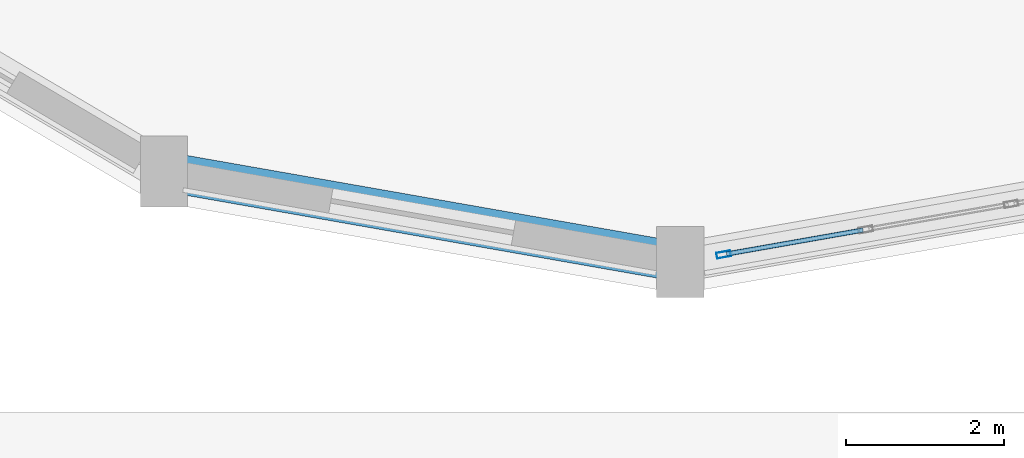
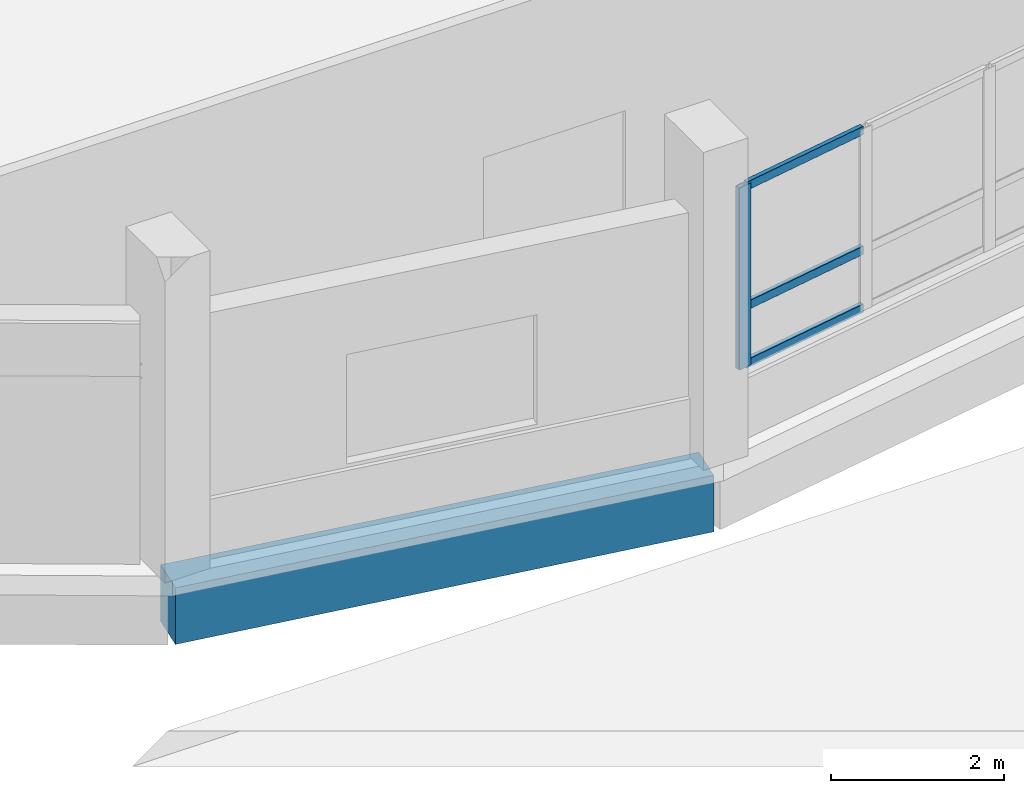
# One storey, part 88 of 129: 4 members, 1 beam, 1 element without a shape of its own.
"""IFC4 building model written with IfcOpenShell, lengths in metres."""

from ifc_helpers import new_model, si_unit, direction, frame, origin, origin_2d, place, context, subcontext, project, spatial, rectangle, hollow_rectangle, extrude, material, layer, layer_set, material_profile, profile_set, type_object, element, aggregate, save


model = new_model("IFC4")

# Units and contexts
model_context = context("Model", 3, precision=1e-05, world=origin(), true_north=direction((0.0, 1.0)))
body_context = subcontext(model_context, "Body", "Model", "MODEL_VIEW")
ifc_project = project(units=[si_unit("LENGTHUNIT", "METRE"), si_unit("AREAUNIT", "SQUARE_METRE"), si_unit("VOLUMEUNIT", "CUBIC_METRE"), si_unit("PLANEANGLEUNIT", "RADIAN"), si_unit("MASSUNIT", "GRAM", prefix="KILO")], contexts=[model_context])

# Site, building, storey
site_placement = place(None, origin())
site = spatial("IfcSite", under=ifc_project, at=site_placement, CompositionType="ELEMENT")
building_placement = place(site_placement, origin())
building = spatial("IfcBuilding", under=site, at=building_placement, Name="Vespera Passage Community Centre", CompositionType="ELEMENT")
storey_placement = place(building_placement, origin())
storey = spatial("IfcBuildingStorey", under=building, at=storey_placement, Name="L00", CompositionType="ELEMENT", Elevation=0.0)

# Beam
ifc_material_1 = material(Name="Concrete f'c 35 MPa", Category="concrete")
ifc_material_profile_1 = material_profile(ifc_material_1, rectangle(XDim=0.5, YDim=0.800048828125, at=origin_2d()), Name="RC500X800")
ifc_profile_set_1 = profile_set([ifc_material_profile_1], Name="Concrete f'c 35 MPa")
beam_type = type_object("IfcBeamType", Name="BM-SP-500X800E", PredefinedType="SPANDREL", material=ifc_profile_set_1)
beam_placement = place(storey_placement, frame((136.4560546875, 75.54931640625, -0.679931640625), z_axis=(0.984922333185, -0.172997102844, 0.0), x_axis=(0.172997102844, 0.984922333185, 0.0)))
element("IfcBeam", 1, at=beam_placement, inside=storey, type_object=beam_type, Name="V2 L00 Perimeter Spandrel 12", PredefinedType="SPANDREL", context=body_context, shape_type="SweptSolid", body=[
    extrude(rectangle(XDim=0.5, YDim=0.800048828125, at=origin_2d()), origin(), (0.0, 0.0, 1.0), 6.64404296875),
])

# Curtain wall, members
ifc_material_2 = material(Name="Anodized aluminium 6063-T6", Category="aluminium")
ifc_layer = layer(ifc_material_2, 0.159912109375)
ifc_layer_set = layer_set([ifc_layer], Name="Anodized aluminium 6063-T6")
curtain_wall_type = type_object("IfcCurtainWallType", Name="CW-92E", PredefinedType="NOTDEFINED", material=ifc_layer_set)
curtain_wall_placement = place(storey_placement, origin())
curtain_wall = element("IfcCurtainWall", 2, at=curtain_wall_placement, inside=storey, type_object=curtain_wall_type, Name="Sports Drum Ribbon Curtain Wall L00.13", PredefinedType="NOTDEFINED")
ifc_material_3 = material(Name="Anodized aluminium 6063-T6", Category="aluminium")
ifc_material_profile_2 = material_profile(ifc_material_3, hollow_rectangle(XDim=0.074951171875, YDim=0.179931640625, WallThickness=0.0048828125, InnerFilletRadius=0.00244140625, OuterFilletRadius=0.0048828125, at=origin_2d()), Name="ALU180X75X5")
ifc_profile_set_2 = profile_set([ifc_material_profile_2], Name="Anodized aluminium 6063-T6")
member_type_1 = type_object("IfcMemberType", Name="MB-CWM-180E", PredefinedType="MULLION", material=ifc_profile_set_2)
member_1_placement = place(storey_placement, frame((143.548828125, 74.496337890625, 0.85009765625), z_axis=(0.0, 0.0, 1.0), x_axis=(0.172994429562, -0.984922802731, 0.0)))
member_1 = element("IfcMember", 3, at=member_1_placement, type_object=member_type_1, Name="CW-92E mullion 4", PredefinedType="MULLION", context=body_context, shape_type="SweptSolid", body=[
    extrude(hollow_rectangle(XDim=0.074951171875, YDim=0.179931640625, WallThickness=0.0048828125, InnerFilletRadius=0.00244140625, OuterFilletRadius=0.0048828125, at=origin_2d()), origin(), (0.0, 0.0, 1.0), 2.574951171875),
])
ifc_material_4 = material(Name="Anodized aluminium 6063-T6", Category="aluminium")
ifc_material_profile_3 = material_profile(ifc_material_4, hollow_rectangle(XDim=0.06005859375, YDim=0.1201171875, WallThickness=0.00390625, InnerFilletRadius=0.001953125, OuterFilletRadius=0.00390625, at=origin_2d()), Name="ALU120X60X4")
ifc_profile_set_3 = profile_set([ifc_material_profile_3], Name="Anodized aluminium 6063-T6")
member_type_2 = type_object("IfcMemberType", Name="MB-CWT-120E", PredefinedType="USERDEFINED", material=ifc_profile_set_3)
member_2_placement = place(storey_placement, frame((145.31494140625, 74.806640625, 0.8798828125), z_axis=(-0.984924620758, -0.172984078529, 0.0), x_axis=(0.172984078529, -0.984924620758, 0.0)))
member_2 = element("IfcMember", 4, at=member_2_placement, type_object=member_type_2, Name="CW-92E transom 3.1", ObjectType="TRANSOM", PredefinedType="USERDEFINED", context=body_context, shape_type="SweptSolid", body=[
    extrude(hollow_rectangle(XDim=0.06005859375, YDim=0.1201171875, WallThickness=0.00390625, InnerFilletRadius=0.001953125, OuterFilletRadius=0.00390625, at=origin_2d()), origin(), (0.0, 0.0, 1.0), 1.755615234375),
])
member_3_placement = place(storey_placement, frame((145.31494140625, 74.806640625, 1.699951171875), z_axis=(-0.984924620758, -0.172984078529, 0.0), x_axis=(0.172984078529, -0.984924620758, 0.0)))
member_3 = element("IfcMember", 5, at=member_3_placement, type_object=member_type_2, Name="CW-92E transom 3.2", ObjectType="TRANSOM", PredefinedType="USERDEFINED", context=body_context, shape_type="SweptSolid", body=[
    extrude(hollow_rectangle(XDim=0.06005859375, YDim=0.1201171875, WallThickness=0.00390625, InnerFilletRadius=0.001953125, OuterFilletRadius=0.00390625, at=origin_2d()), origin(), (0.0, 0.0, 1.0), 1.755615234375),
])
member_4_placement = place(storey_placement, frame((145.31494140625, 74.806640625, 3.39501953125), z_axis=(-0.984924620758, -0.172984078529, 0.0), x_axis=(0.172984078529, -0.984924620758, 0.0)))
member_4 = element("IfcMember", 6, at=member_4_placement, type_object=member_type_2, Name="CW-92E transom 3.3", ObjectType="TRANSOM", PredefinedType="USERDEFINED", context=body_context, shape_type="SweptSolid", body=[
    extrude(hollow_rectangle(XDim=0.06005859375, YDim=0.1201171875, WallThickness=0.00390625, InnerFilletRadius=0.001953125, OuterFilletRadius=0.00390625, at=origin_2d()), origin(), (0.0, 0.0, 1.0), 1.755615234375),
])
aggregate(curtain_wall, [member_1, member_2, member_3, member_4])

save(model, "model.ifc")
